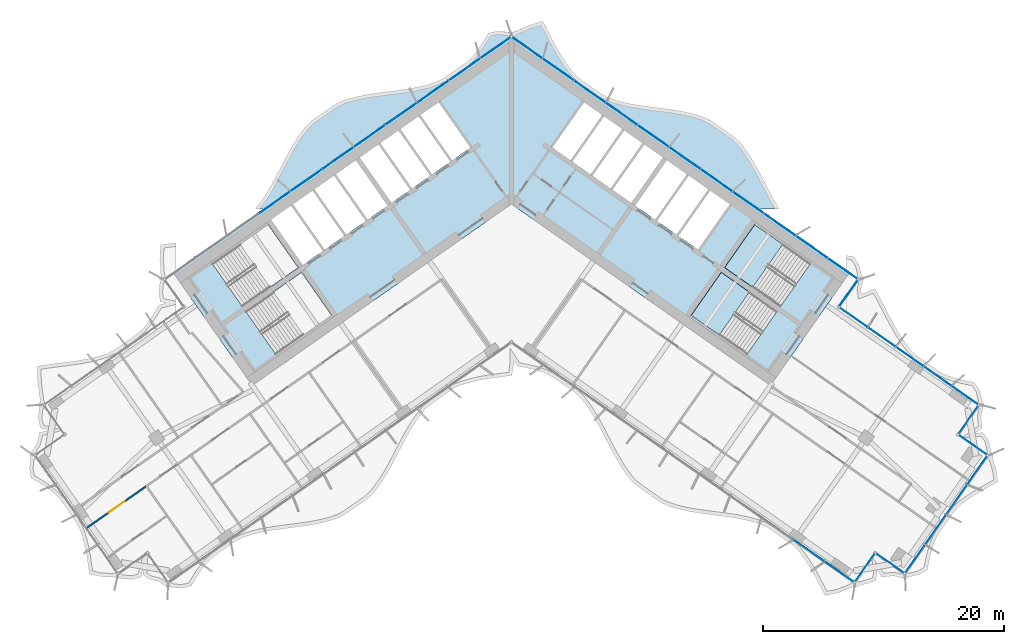
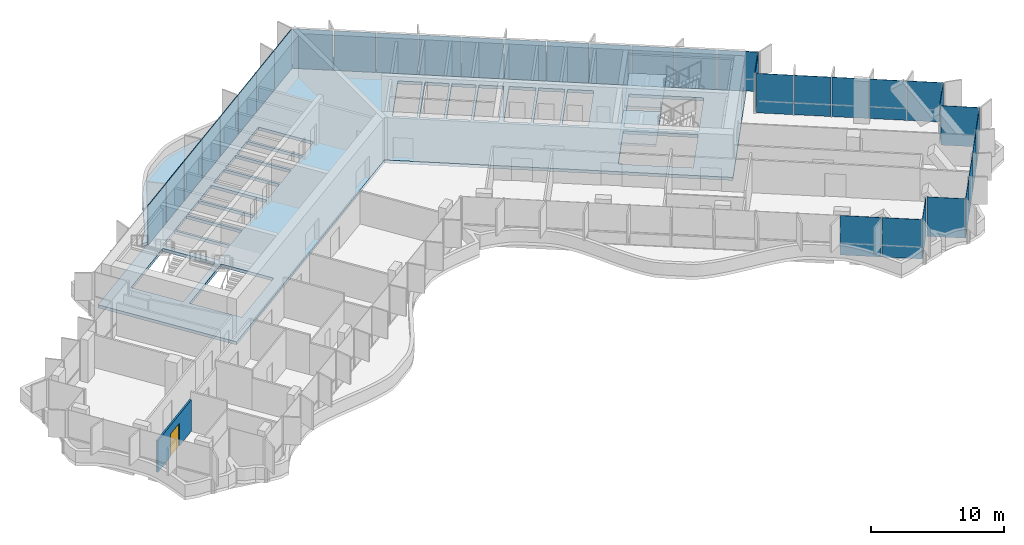
# One storey, part 11 of 21: 35 plates, 4 slabs, 1 door, 1 wall, 1 opening, 4 elements without a shape of their own.
"""IFC4 building model written with IfcOpenShell, lengths in metres."""

from ifc_helpers import new_model, si_unit, direction, frame, frame_2d, origin, origin_2d, place, context, subcontext, project, spatial, polyline, rectangle, outline, extrude, material, layer, layer_set, type_object, element, fill, aggregate, save


model = new_model("IFC4")

# Units and contexts
model_context = context("Model", 3, precision=1e-05, world=origin(), true_north=direction((0.0, 1.0)))
body_context = subcontext(model_context, "Body", "Model", "MODEL_VIEW")
ifc_project = project(units=[si_unit("LENGTHUNIT", "METRE"), si_unit("AREAUNIT", "SQUARE_METRE"), si_unit("VOLUMEUNIT", "CUBIC_METRE"), si_unit("PLANEANGLEUNIT", "RADIAN"), si_unit("MASSUNIT", "GRAM", prefix="KILO")], contexts=[model_context])

# Site, building, storey
site_placement = place(None, origin())
site = spatial("IfcSite", under=ifc_project, at=site_placement, CompositionType="ELEMENT")
building_placement = place(site_placement, origin())
building = spatial("IfcBuilding", under=site, at=building_placement, Name="Tel Ilan Convention Tower", CompositionType="ELEMENT")
storey_placement = place(building_placement, frame((0.0, 0.0, 139.800048828125)))
storey = spatial("IfcBuildingStorey", under=building, at=storey_placement, Name="L31", CompositionType="ELEMENT", Elevation=139.800048828125)

# Curtain wall, plates
ifc_material_1 = material(Name="Aluminium, bronze anodised", Category="aluminium")
curtain_wall_type_1 = type_object("IfcCurtainWallType", Name="CW4 STICK CURTAIN WALL, OFFICE TINTED GLASS", PredefinedType="NOTDEFINED", material=ifc_material_1)
curtain_wall_1_placement = place(storey_placement, origin())
curtain_wall_1 = element("IfcCurtainWall", 1, at=curtain_wall_1_placement, inside=storey, type_object=curtain_wall_type_1, Name="Curtain wall CW4-25.02", PredefinedType="NOTDEFINED")
ifc_material_2 = material(Name="Glass, bronze tinted, two-ply", Category="glass")
ifc_layer_1 = layer(ifc_material_2, 0.028076171875)
ifc_layer_set_1 = layer_set([ifc_layer_1], Name="CW GLASS PANEL 28")
plate_type_1 = type_object("IfcPlateType", Name="CW GLASS PANEL 28", PredefinedType="CURTAIN_PANEL", material=ifc_layer_set_1)
plate_1_placement = place(storey_placement, frame((24.71044921875, -29.99853515625, 0.0), z_axis=(0.0, 0.0, 1.0), x_axis=(0.819152044289, -0.573576436351, 0.0)))
plate_1 = element("IfcPlate", 2, at=plate_1_placement, type_object=plate_type_1, Name="Glass panel", PredefinedType="CURTAIN_PANEL", context=body_context, shape_type="SweptSolid", body=[
    extrude(rectangle(XDim=3.10791015625, YDim=0.028076171875, at=origin_2d()), origin(), (0.0, 0.0, 1.0), 3.6201171875),
])
plate_2_placement = place(storey_placement, frame((27.26708984375, -31.78857421875, 0.0), z_axis=(0.0, 0.0, 1.0), x_axis=(0.819152044289, -0.573576436351, 0.0)))
plate_2 = element("IfcPlate", 3, at=plate_2_placement, type_object=plate_type_1, Name="Glass panel", PredefinedType="CURTAIN_PANEL", context=body_context, shape_type="SweptSolid", body=[
    extrude(rectangle(XDim=3.013916015625, YDim=0.028076171875, at=origin_2d()), origin(), (0.0, 0.0, 1.0), 3.6201171875),
])
plate_3_placement = place(storey_placement, frame((29.359375, -31.469482421875, 0.0), z_axis=(0.0, 0.0, 1.0), x_axis=(0.573576436351, 0.819152044289, 0.0)))
plate_3 = element("IfcPlate", 4, at=plate_3_placement, type_object=plate_type_1, Name="Glass panel", PredefinedType="CURTAIN_PANEL", context=body_context, shape_type="SweptSolid", body=[
    extrude(rectangle(XDim=2.875, YDim=0.028076171875, at=origin_2d()), origin(), (0.0, 0.0, 1.0), 3.6201171875),
])
plate_4_placement = place(storey_placement, frame((31.502197265625, -31.091796875, 0.0), z_axis=(0.0, 0.0, 1.0), x_axis=(0.819152044289, -0.573576436351, 0.0)))
plate_4 = element("IfcPlate", 5, at=plate_4_placement, type_object=plate_type_1, Name="Glass panel", PredefinedType="CURTAIN_PANEL", context=body_context, shape_type="SweptSolid", body=[
    extrude(rectangle(XDim=2.875, YDim=0.028076171875, at=origin_2d()), origin(), (0.0, 0.0, 1.0), 3.6201171875),
])
plate_5_placement = place(storey_placement, frame((33.543701171875, -30.72412109375, 0.0), z_axis=(0.0, 0.0, 1.0), x_axis=(0.573576436351, 0.819152044289, 0.0)))
plate_5 = element("IfcPlate", 6, at=plate_5_placement, type_object=plate_type_1, Name="Glass panel", PredefinedType="CURTAIN_PANEL", context=body_context, shape_type="SweptSolid", body=[
    extrude(rectangle(XDim=2.89599609375, YDim=0.028076171875, at=origin_2d()), origin(), (0.0, 0.0, 1.0), 3.6201171875),
])
plate_6_placement = place(storey_placement, frame((35.26611328125, -28.264404296875, 0.0), z_axis=(0.0, 0.0, 1.0), x_axis=(0.573576436351, 0.819152044289, 0.0)))
plate_6 = element("IfcPlate", 7, at=plate_6_placement, type_object=plate_type_1, Name="Glass panel", PredefinedType="CURTAIN_PANEL", context=body_context, shape_type="SweptSolid", body=[
    extrude(rectangle(XDim=2.989990234375, YDim=0.028076171875, at=origin_2d()), origin(), (0.0, 0.0, 1.0), 3.6201171875),
])
plate_7_placement = place(storey_placement, frame((37.015380859375, -25.765869140625, 0.0), z_axis=(0.0, 0.0, 1.0), x_axis=(0.573576436351, 0.819152044289, 0.0)))
plate_7 = element("IfcPlate", 8, at=plate_7_placement, type_object=plate_type_1, Name="Glass panel", PredefinedType="CURTAIN_PANEL", context=body_context, shape_type="SweptSolid", body=[
    extrude(rectangle(XDim=2.989990234375, YDim=0.028076171875, at=origin_2d()), origin(), (0.0, 0.0, 1.0), 3.6201171875),
])
plate_8_placement = place(storey_placement, frame((38.73779296875, -23.305908203125, 0.0), z_axis=(0.0, 0.0, 1.0), x_axis=(0.573576436351, 0.819152044289, 0.0)))
plate_8 = element("IfcPlate", 9, at=plate_8_placement, type_object=plate_type_1, Name="Glass panel", PredefinedType="CURTAIN_PANEL", context=body_context, shape_type="SweptSolid", body=[
    extrude(rectangle(XDim=2.89599609375, YDim=0.028076171875, at=origin_2d()), origin(), (0.0, 0.0, 1.0), 3.6201171875),
])
plate_9_placement = place(storey_placement, frame((38.385009765625, -21.261962890625, 0.0), z_axis=(0.0, 0.0, 1.0), x_axis=(-0.819152044289, 0.573576436351, 0.0)))
plate_9 = element("IfcPlate", 10, at=plate_9_placement, type_object=plate_type_1, Name="Glass panel", PredefinedType="CURTAIN_PANEL", context=body_context, shape_type="SweptSolid", body=[
    extrude(rectangle(XDim=2.875, YDim=0.028076171875, at=origin_2d()), origin(), (0.0, 0.0, 1.0), 3.6201171875),
])
plate_10_placement = place(storey_placement, frame((38.007080078125, -19.119140625, 0.0), z_axis=(0.0, 0.0, 1.0), x_axis=(0.573576436351, 0.819152044289, 0.0)))
plate_10 = element("IfcPlate", 11, at=plate_10_placement, type_object=plate_type_1, Name="Glass panel", PredefinedType="CURTAIN_PANEL", context=body_context, shape_type="SweptSolid", body=[
    extrude(rectangle(XDim=2.875, YDim=0.028076171875, at=origin_2d()), origin(), (0.0, 0.0, 1.0), 3.6201171875),
])
plate_11_placement = place(storey_placement, frame((37.7255859375, -17.137939453125, 0.0), z_axis=(0.0, 0.0, 1.0), x_axis=(-0.819152044289, 0.573576436351, 0.0)))
plate_11 = element("IfcPlate", 12, at=plate_11_placement, type_object=plate_type_1, Name="Glass panel", PredefinedType="CURTAIN_PANEL", context=body_context, shape_type="SweptSolid", body=[
    extrude(rectangle(XDim=2.68603515625, YDim=0.028076171875, at=origin_2d()), origin(), (0.0, 0.0, 1.0), 3.6201171875),
])
plate_12_placement = place(storey_placement, frame((35.437744140625, -15.535888671875, 0.0), z_axis=(0.0, 0.0, 1.0), x_axis=(-0.819152044289, 0.573576436351, 0.0)))
plate_12 = element("IfcPlate", 13, at=plate_12_placement, type_object=plate_type_1, Name="Glass panel", PredefinedType="CURTAIN_PANEL", context=body_context, shape_type="SweptSolid", body=[
    extrude(rectangle(XDim=2.780029296875, YDim=0.028076171875, at=origin_2d()), origin(), (0.0, 0.0, 1.0), 3.6201171875),
])
plate_13_placement = place(storey_placement, frame((33.111328125, -13.906982421875, 0.0), z_axis=(0.0, 0.0, 1.0), x_axis=(-0.819152044289, 0.573576436351, 0.0)))
plate_13 = element("IfcPlate", 14, at=plate_13_placement, type_object=plate_type_1, Name="Glass panel", PredefinedType="CURTAIN_PANEL", context=body_context, shape_type="SweptSolid", body=[
    extrude(rectangle(XDim=2.780029296875, YDim=0.028076171875, at=origin_2d()), origin(), (0.0, 0.0, 1.0), 3.6201171875),
])
plate_14_placement = place(storey_placement, frame((30.784912109375, -12.278076171875, 0.0), z_axis=(0.0, 0.0, 1.0), x_axis=(-0.819152044289, 0.573576436351, 0.0)))
plate_14 = element("IfcPlate", 15, at=plate_14_placement, type_object=plate_type_1, Name="Glass panel", PredefinedType="CURTAIN_PANEL", context=body_context, shape_type="SweptSolid", body=[
    extrude(rectangle(XDim=2.780029296875, YDim=0.028076171875, at=origin_2d()), origin(), (0.0, 0.0, 1.0), 3.6201171875),
])
plate_15_placement = place(storey_placement, frame((28.44677734375, -10.640625, 0.0), z_axis=(0.0, 0.0, 1.0), x_axis=(-0.819152044289, 0.573576436351, 0.0)))
plate_15 = element("IfcPlate", 16, at=plate_15_placement, type_object=plate_type_1, Name="Glass panel", PredefinedType="CURTAIN_PANEL", context=body_context, shape_type="SweptSolid", body=[
    extrude(rectangle(XDim=2.80908203125, YDim=0.028076171875, at=origin_2d()), origin(), (0.0, 0.0, 1.0), 3.6201171875),
])
aggregate(curtain_wall_1, [plate_1, plate_2, plate_3, plate_4, plate_5, plate_6, plate_7, plate_8, plate_9, plate_10, plate_11, plate_12, plate_13, plate_14, plate_15])

ifc_material_3 = material(Name="Aluminium, bronze anodised", Category="aluminium")
curtain_wall_type_2 = type_object("IfcCurtainWallType", Name="CW2 STICK CURTAIN WALL, SPANDREL PANELS", PredefinedType="NOTDEFINED", material=ifc_material_3)
curtain_wall_2_placement = place(storey_placement, origin())
curtain_wall_2 = element("IfcCurtainWall", 17, at=curtain_wall_2_placement, inside=storey, type_object=curtain_wall_type_2, Name="Curtain wall CW2-25.01", PredefinedType="NOTDEFINED")
ifc_material_4 = material(Name="Aluminium composite panel, bronze anodised", Category="aluminium")
ifc_layer_2 = layer(ifc_material_4, 0.06005859375)
ifc_layer_set_2 = layer_set([ifc_layer_2], Name="CW SPANDREL PANEL 60")
plate_type_2 = type_object("IfcPlateType", Name="CW SPANDREL PANEL 60", PredefinedType="CURTAIN_PANEL", material=ifc_layer_set_2)
plate_16_placement = place(storey_placement, frame((28.033935546875, -8.60546875, 0.0), z_axis=(0.0, 0.0, 1.0), x_axis=(0.573576436351, 0.819152044289, 0.0)))
plate_16 = element("IfcPlate", 18, at=plate_16_placement, type_object=plate_type_2, Name="Spandrel panel", PredefinedType="CURTAIN_PANEL", context=body_context, shape_type="SweptSolid", body=[
    extrude(rectangle(XDim=2.658935546875, YDim=0.06005859375, at=origin_2d()), origin(), (0.0, 0.0, 1.0), 3.6201171875),
])
plate_17_placement = place(storey_placement, frame((27.5400390625, -6.587646484375, 0.0), z_axis=(0.0, 0.0, 1.0), x_axis=(-0.819152044289, 0.573576436351, 0.0)))
plate_17 = element("IfcPlate", 19, at=plate_17_placement, type_object=plate_type_2, Name="Spandrel panel", PredefinedType="CURTAIN_PANEL", context=body_context, shape_type="SweptSolid", body=[
    extrude(rectangle(XDim=3.0439453125, YDim=0.06005859375, at=origin_2d()), origin(), (0.0, 0.0, 1.0), 3.6201171875),
])
plate_18_placement = place(storey_placement, frame((24.95263671875, -4.77587890625, 0.0), z_axis=(0.0, 0.0, 1.0), x_axis=(-0.819152044289, 0.573576436351, 0.0)))
plate_18 = element("IfcPlate", 20, at=plate_18_placement, type_object=plate_type_2, Name="Spandrel panel", PredefinedType="CURTAIN_PANEL", context=body_context, shape_type="SweptSolid", body=[
    extrude(rectangle(XDim=3.15380859375, YDim=0.06005859375, at=origin_2d()), origin(), (0.0, 0.0, 1.0), 3.6201171875),
])
plate_19_placement = place(storey_placement, frame((22.31982421875, -2.9326171875, 0.0), z_axis=(0.0, 0.0, 1.0), x_axis=(-0.819152044289, 0.573576436351, 0.0)))
plate_19 = element("IfcPlate", 21, at=plate_19_placement, type_object=plate_type_2, Name="Spandrel panel", PredefinedType="CURTAIN_PANEL", context=body_context, shape_type="SweptSolid", body=[
    extrude(rectangle(XDim=3.15380859375, YDim=0.06005859375, at=origin_2d()), origin(), (0.0, 0.0, 1.0), 3.6201171875),
])
plate_20_placement = place(storey_placement, frame((19.687255859375, -1.089111328125, 0.0), z_axis=(0.0, 0.0, 1.0), x_axis=(-0.819152044289, 0.573576436351, 0.0)))
plate_20 = element("IfcPlate", 22, at=plate_20_placement, type_object=plate_type_2, Name="Spandrel panel", PredefinedType="CURTAIN_PANEL", context=body_context, shape_type="SweptSolid", body=[
    extrude(rectangle(XDim=3.15380859375, YDim=0.06005859375, at=origin_2d()), origin(), (0.0, 0.0, 1.0), 3.6201171875),
])
plate_21_placement = place(storey_placement, frame((17.0546875, 0.754150390625, 0.0), z_axis=(0.0, 0.0, 1.0), x_axis=(-0.819152044289, 0.573576436351, 0.0)))
plate_21 = element("IfcPlate", 23, at=plate_21_placement, type_object=plate_type_2, Name="Spandrel panel", PredefinedType="CURTAIN_PANEL", context=body_context, shape_type="SweptSolid", body=[
    extrude(rectangle(XDim=3.15380859375, YDim=0.06005859375, at=origin_2d()), origin(), (0.0, 0.0, 1.0), 3.6201171875),
])
plate_22_placement = place(storey_placement, frame((14.422119140625, 2.59765625, 0.0), z_axis=(0.0, 0.0, 1.0), x_axis=(-0.819152044289, 0.573576436351, 0.0)))
plate_22 = element("IfcPlate", 24, at=plate_22_placement, type_object=plate_type_2, Name="Spandrel panel", PredefinedType="CURTAIN_PANEL", context=body_context, shape_type="SweptSolid", body=[
    extrude(rectangle(XDim=3.15380859375, YDim=0.06005859375, at=origin_2d()), origin(), (0.0, 0.0, 1.0), 3.6201171875),
])
plate_23_placement = place(storey_placement, frame((11.789306640625, 4.44091796875, 0.0), z_axis=(0.0, 0.0, 1.0), x_axis=(-0.819152044289, 0.573576436351, 0.0)))
plate_23 = element("IfcPlate", 25, at=plate_23_placement, type_object=plate_type_2, Name="Spandrel panel", PredefinedType="CURTAIN_PANEL", context=body_context, shape_type="SweptSolid", body=[
    extrude(rectangle(XDim=3.15380859375, YDim=0.06005859375, at=origin_2d()), origin(), (0.0, 0.0, 1.0), 3.6201171875),
])
plate_24_placement = place(storey_placement, frame((9.15673828125, 6.284423828125, 0.0), z_axis=(0.0, 0.0, 1.0), x_axis=(-0.819152044289, 0.573576436351, 0.0)))
plate_24 = element("IfcPlate", 26, at=plate_24_placement, type_object=plate_type_2, Name="Spandrel panel", PredefinedType="CURTAIN_PANEL", context=body_context, shape_type="SweptSolid", body=[
    extrude(rectangle(XDim=3.15380859375, YDim=0.06005859375, at=origin_2d()), origin(), (0.0, 0.0, 1.0), 3.6201171875),
])
plate_25_placement = place(storey_placement, frame((6.524169921875, 8.127685546875, 0.0), z_axis=(0.0, 0.0, 1.0), x_axis=(-0.819152044289, 0.573576436351, 0.0)))
plate_25 = element("IfcPlate", 27, at=plate_25_placement, type_object=plate_type_2, Name="Spandrel panel", PredefinedType="CURTAIN_PANEL", context=body_context, shape_type="SweptSolid", body=[
    extrude(rectangle(XDim=3.15380859375, YDim=0.06005859375, at=origin_2d()), origin(), (0.0, 0.0, 1.0), 3.6201171875),
])
plate_26_placement = place(storey_placement, frame((3.8916015625, 9.97119140625, 0.0), z_axis=(0.0, 0.0, 1.0), x_axis=(-0.819152044289, 0.573576436351, 0.0)))
plate_26 = element("IfcPlate", 28, at=plate_26_placement, type_object=plate_type_2, Name="Spandrel panel", PredefinedType="CURTAIN_PANEL", context=body_context, shape_type="SweptSolid", body=[
    extrude(rectangle(XDim=3.15380859375, YDim=0.06005859375, at=origin_2d()), origin(), (0.0, 0.0, 1.0), 3.6201171875),
])
plate_27_placement = place(storey_placement, frame((1.303955078125, 11.782958984375, 0.0), z_axis=(0.0, 0.0, 1.0), x_axis=(-0.819152044289, 0.573576436351, 0.0)))
plate_27 = element("IfcPlate", 29, at=plate_27_placement, type_object=plate_type_2, Name="Spandrel panel", PredefinedType="CURTAIN_PANEL", context=body_context, shape_type="SweptSolid", body=[
    extrude(rectangle(XDim=3.0439453125, YDim=0.06005859375, at=origin_2d()), origin(), (0.0, 0.0, 1.0), 3.6201171875),
])
plate_28_placement = place(storey_placement, frame((-1.303955078125, 11.782958984375, 0.0), z_axis=(0.0, 0.0, 1.0), x_axis=(-0.819152044289, -0.573576436351, 0.0)))
plate_28 = element("IfcPlate", 30, at=plate_28_placement, type_object=plate_type_2, Name="Spandrel panel", PredefinedType="CURTAIN_PANEL", context=body_context, shape_type="SweptSolid", body=[
    extrude(rectangle(XDim=3.0439453125, YDim=0.06005859375, at=origin_2d()), origin(), (0.0, 0.0, 1.0), 3.6201171875),
])
plate_29_placement = place(storey_placement, frame((-3.8916015625, 9.97119140625, 0.0), z_axis=(0.0, 0.0, 1.0), x_axis=(-0.819152044289, -0.573576436351, 0.0)))
plate_29 = element("IfcPlate", 31, at=plate_29_placement, type_object=plate_type_2, Name="Spandrel panel", PredefinedType="CURTAIN_PANEL", context=body_context, shape_type="SweptSolid", body=[
    extrude(rectangle(XDim=3.15380859375, YDim=0.06005859375, at=origin_2d()), origin(), (0.0, 0.0, 1.0), 3.6201171875),
])
plate_30_placement = place(storey_placement, frame((-6.524169921875, 8.127685546875, 0.0), z_axis=(0.0, 0.0, 1.0), x_axis=(-0.819152044289, -0.573576436351, 0.0)))
plate_30 = element("IfcPlate", 32, at=plate_30_placement, type_object=plate_type_2, Name="Spandrel panel", PredefinedType="CURTAIN_PANEL", context=body_context, shape_type="SweptSolid", body=[
    extrude(rectangle(XDim=3.15380859375, YDim=0.06005859375, at=origin_2d()), origin(), (0.0, 0.0, 1.0), 3.6201171875),
])
plate_31_placement = place(storey_placement, frame((-9.15673828125, 6.284423828125, 0.0), z_axis=(0.0, 0.0, 1.0), x_axis=(-0.819152044289, -0.573576436351, 0.0)))
plate_31 = element("IfcPlate", 33, at=plate_31_placement, type_object=plate_type_2, Name="Spandrel panel", PredefinedType="CURTAIN_PANEL", context=body_context, shape_type="SweptSolid", body=[
    extrude(rectangle(XDim=3.15380859375, YDim=0.06005859375, at=origin_2d()), origin(), (0.0, 0.0, 1.0), 3.6201171875),
])
plate_32_placement = place(storey_placement, frame((-11.789306640625, 4.44091796875, 0.0), z_axis=(0.0, 0.0, 1.0), x_axis=(-0.819152044289, -0.573576436351, 0.0)))
plate_32 = element("IfcPlate", 34, at=plate_32_placement, type_object=plate_type_2, Name="Spandrel panel", PredefinedType="CURTAIN_PANEL", context=body_context, shape_type="SweptSolid", body=[
    extrude(rectangle(XDim=3.15380859375, YDim=0.06005859375, at=origin_2d()), origin(), (0.0, 0.0, 1.0), 3.6201171875),
])
plate_33_placement = place(storey_placement, frame((-14.422119140625, 2.59765625, 0.0), z_axis=(0.0, 0.0, 1.0), x_axis=(-0.819152044289, -0.573576436351, 0.0)))
plate_33 = element("IfcPlate", 35, at=plate_33_placement, type_object=plate_type_2, Name="Spandrel panel", PredefinedType="CURTAIN_PANEL", context=body_context, shape_type="SweptSolid", body=[
    extrude(rectangle(XDim=3.15380859375, YDim=0.06005859375, at=origin_2d()), origin(), (0.0, 0.0, 1.0), 3.6201171875),
])
plate_34_placement = place(storey_placement, frame((-17.0546875, 0.754150390625, 0.0), z_axis=(0.0, 0.0, 1.0), x_axis=(-0.819152044289, -0.573576436351, 0.0)))
plate_34 = element("IfcPlate", 36, at=plate_34_placement, type_object=plate_type_2, Name="Spandrel panel", PredefinedType="CURTAIN_PANEL", context=body_context, shape_type="SweptSolid", body=[
    extrude(rectangle(XDim=3.15380859375, YDim=0.06005859375, at=origin_2d()), origin(), (0.0, 0.0, 1.0), 3.6201171875),
])
plate_35_placement = place(storey_placement, frame((-19.687255859375, -1.089111328125, 0.0), z_axis=(0.0, 0.0, 1.0), x_axis=(-0.819152044289, -0.573576436351, 0.0)))
plate_35 = element("IfcPlate", 37, at=plate_35_placement, type_object=plate_type_2, Name="Spandrel panel", PredefinedType="CURTAIN_PANEL", context=body_context, shape_type="SweptSolid", body=[
    extrude(rectangle(XDim=3.15380859375, YDim=0.06005859375, at=origin_2d()), origin(), (0.0, 0.0, 1.0), 3.6201171875),
])
aggregate(curtain_wall_2, [plate_16, plate_17, plate_18, plate_19, plate_20, plate_21, plate_22, plate_23, plate_24, plate_25, plate_26, plate_27, plate_28, plate_29, plate_30, plate_31, plate_32, plate_33, plate_34, plate_35])

# Stair, slab
ifc_material_5 = material(Name="Concrete C40/50", Category="concrete")
stair_type = type_object("IfcStairType", Name="Pressurised Exit Stair 22 risers 177 mm", PredefinedType="HALF_TURN_STAIR", material=ifc_material_5)
stair_1_placement = place(storey_placement, origin())
stair_1 = element("IfcStair", 38, at=stair_1_placement, inside=storey, type_object=stair_type, Name="L31 Pressurised Stair S3", PredefinedType="HALF_TURN_STAIR")
ifc_material_6 = material(Name="Concrete C40/50", Category="concrete")
ifc_layer_3 = layer(ifc_material_6, 0.199951171875)
ifc_layer_set_3 = layer_set([ifc_layer_3], Name="Concrete Stair Landing 200 mm C40/50")
slab_type_1 = type_object("IfcSlabType", Name="Concrete Stair Landing 200 mm", PredefinedType="LANDING", material=ifc_layer_set_3)
slab_1_placement = place(storey_placement, frame((0.0, 0.0, 1.75)))
slab_1 = element("IfcSlab", 39, at=slab_1_placement, type_object=slab_type_1, Name="S3 landing 1", PredefinedType="LANDING", context=body_context, shape_type="SweptSolid", body=[
    extrude(outline(polyline([(22.561767578125, -4.566650390625), (20.226318359375, -2.931640625), (17.7314453125, -6.494873046875), (20.066650390625, -8.130126953125), (22.561767578125, -4.566650390625)])), origin(), (0.0, 0.0, 1.0), 0.199951171875),
])
aggregate(stair_1, [slab_1])

stair_2_placement = place(storey_placement, origin())
stair_2 = element("IfcStair", 40, at=stair_2_placement, inside=storey, type_object=stair_type, Name="L31 Pressurised Stair S4", PredefinedType="HALF_TURN_STAIR")
slab_2_placement = place(storey_placement, frame((0.0, 0.0, 1.75)))
slab_2 = element("IfcSlab", 41, at=slab_2_placement, type_object=slab_type_1, Name="S4 landing 1", PredefinedType="LANDING", context=body_context, shape_type="SweptSolid", body=[
    extrude(outline(polyline([(19.77978515625, -8.53955078125), (17.444580078125, -6.904541015625), (14.949462890625, -10.4677734375), (17.28466796875, -12.10302734375), (19.77978515625, -8.53955078125)])), origin(), (0.0, 0.0, 1.0), 0.199951171875),
])
aggregate(stair_2, [slab_2])

# Slabs
ifc_material_7 = material(Name="Concrete C40/50", Category="concrete")
ifc_layer_4 = layer(ifc_material_7, 0.280029296875)
ifc_layer_set_4 = layer_set([ifc_layer_4], Name="Core Floor Slab 280 mm C40/50")
slab_type_2 = type_object("IfcSlabType", Name="Core Floor Slab 280 mm C40/50", PredefinedType="FLOOR", material=ifc_layer_set_4)
slab_3_placement = place(storey_placement, frame((0.0, 0.0, -0.280029296875)))
element("IfcSlab", 42, at=slab_3_placement, inside=storey, type_object=slab_type_2, Name="L31 core floor 1", PredefinedType="FLOOR", context=body_context, shape_type="SweptSolid", body=[
    extrude(outline(polyline([(-28.1396484375, -6.885498046875), (0.0, 12.818115234375), (28.1396484375, -6.885498046875), (21.54345703125, -16.3056640625), (0.0, -1.220703125), (-21.54345703125, -16.3056640625), (-28.1396484375, -6.885498046875)]), holes=[polyline([(-14.949462890625, -10.4677734375), (-17.444580078125, -6.904541015625), (-22.072021484375, -10.144775390625), (-19.5771484375, -13.7080078125), (-14.949462890625, -10.4677734375)]), polyline([(-17.7314453125, -6.494873046875), (-20.226318359375, -2.931640625), (-24.85400390625, -6.171875), (-22.35888671875, -9.735107421875), (-17.7314453125, -6.494873046875)]), polyline([(-18.313720703125, -1.34814453125), (-19.972412109375, -2.509521484375), (-17.333984375, -6.277587890625), (-15.67529296875, -5.1162109375), (-18.313720703125, -1.34814453125)]), polyline([(-16.531982421875, -0.1005859375), (-18.14990234375, -1.2333984375), (-15.511474609375, -5.00146484375), (-13.8935546875, -3.86865234375), (-16.531982421875, -0.1005859375)]), polyline([(-14.75048828125, 1.14697265625), (-16.368408203125, 0.01416015625), (-13.729736328125, -3.75390625), (-12.112060546875, -2.62109375), (-14.75048828125, 1.14697265625)]), polyline([(-12.927734375, 2.423095703125), (-14.586669921875, 1.26171875), (-11.947998046875, -2.506591796875), (-10.289306640625, -1.344970703125), (-12.927734375, 2.423095703125)]), polyline([(-11.053955078125, 3.735107421875), (-12.60009765625, 2.652587890625), (-9.961669921875, -1.115478515625), (-8.41552734375, -0.032958984375), (-11.053955078125, 3.735107421875)]), polyline([(-6.74658203125, 1.1357421875), (-9.385009765625, 4.90380859375), (-10.89013671875, 3.849853515625), (-8.251708984375, 0.081787109375), (-6.74658203125, 1.1357421875)]), polyline([(-5.077392578125, 2.304443359375), (-7.716064453125, 6.072509765625), (-9.22119140625, 5.0185546875), (-6.582763671875, 1.25048828125), (-5.077392578125, 2.304443359375)]), polyline([(-6.046875, 7.2412109375), (-7.552001953125, 6.187255859375), (-4.913818359375, 2.419189453125), (-3.408447265625, 3.47314453125), (-6.046875, 7.2412109375)]), polyline([(17.444580078125, -6.904541015625), (14.949462890625, -10.4677734375), (19.5771484375, -13.7080078125), (22.072021484375, -10.144775390625), (17.444580078125, -6.904541015625)]), polyline([(20.226318359375, -2.931640625), (17.7314453125, -6.494873046875), (22.35888671875, -9.735107421875), (24.85400390625, -6.171875), (20.226318359375, -2.931640625)]), polyline([(13.8935546875, -3.86865234375), (15.511474609375, -5.00146484375), (18.14990234375, -1.2333984375), (16.531982421875, -0.1005859375), (13.8935546875, -3.86865234375)]), polyline([(12.112060546875, -2.62109375), (13.729736328125, -3.75390625), (16.368408203125, 0.01416015625), (14.75048828125, 1.14697265625), (12.112060546875, -2.62109375)]), polyline([(11.947998046875, -2.506591796875), (14.586669921875, 1.26171875), (12.927734375, 2.423095703125), (10.289306640625, -1.344970703125), (11.947998046875, -2.506591796875)]), polyline([(9.961669921875, -1.115478515625), (12.60009765625, 2.652587890625), (11.053955078125, 3.735107421875), (8.41552734375, -0.032958984375), (9.961669921875, -1.115478515625)]), polyline([(8.251708984375, 0.081787109375), (10.89013671875, 3.849853515625), (9.385009765625, 4.90380859375), (6.74658203125, 1.1357421875), (8.251708984375, 0.081787109375)]), polyline([(5.077392578125, 2.304443359375), (6.582763671875, 1.25048828125), (9.22119140625, 5.0185546875), (7.716064453125, 6.072509765625), (5.077392578125, 2.304443359375)]), polyline([(3.408447265625, 3.47314453125), (4.913818359375, 2.419189453125), (7.552001953125, 6.187255859375), (6.046875, 7.2412109375), (3.408447265625, 3.47314453125)])]), origin(), (0.0, 0.0, 1.0), 0.280029296875),
])
ifc_material_8 = material(Name="Concrete C40/50", Category="concrete")
ifc_layer_5 = layer(ifc_material_8, 0.280029296875)
ifc_layer_set_5 = layer_set([ifc_layer_5], Name="Edge Ledge Slab 280 mm C40/50")
slab_type_3 = type_object("IfcSlabType", Name="Edge Ledge Slab 280 mm C40/50", PredefinedType="FLOOR", material=ifc_layer_set_5)
slab_4_placement = place(storey_placement, frame((0.0, 0.0, -0.280029296875)))
element("IfcSlab", 43, at=slab_4_placement, inside=storey, type_object=slab_type_3, Name="L31 edge ledge 2", PredefinedType="FLOOR", context=body_context, shape_type="SweptSolid", body=[
    extrude(outline(polyline([(-19.60009765625, 1.004150390625), (-19.217529296875, 1.741943359375), (-18.83642578125, 2.481689453125), (-18.44677734375, 3.209228515625), (-18.0390625, 3.910888671875), (-17.604736328125, 4.574951171875), (-17.13671875, 5.190185546875), (-16.6015625, 5.71044921875), (-14.791748046875, 6.977783203125), (-14.1416015625, 7.33349609375), (-13.41064453125, 7.573486328125), (-12.644287109375, 7.76318359375), (-11.849853515625, 7.91259765625), (-11.03564453125, 8.033935546875), (-10.211181640625, 8.140380859375), (-9.385986328125, 8.24609375), (-8.570068359375, 8.36474609375), (-7.7724609375, 8.509765625), (-7.002197265625, 8.693603515625), (-6.26611328125, 8.926513671875), (-5.601806640625, 9.261962890625), (-3.7919921875, 10.529296875), (-3.2421875, 11.0283203125), (-2.769287109375, 11.63671875), (-2.3310546875, 12.294921875), (-1.919921875, 12.991943359375), (-1.14208984375, 13.1650390625), (-0.172119140625, 13.06396484375), (-0.168701171875, 13.05908203125), (-0.11474609375, 13.09521484375), (0.0, 13.1181640625), (0.11474609375, 13.09521484375), (0.168701171875, 13.05908203125), (0.172119140625, 13.06396484375), (1.4794921875, 13.647216796875), (2.6162109375, 13.986328125), (3.000244140625, 13.250732421875), (3.38134765625, 12.510986328125), (3.770263671875, 11.7822265625), (4.176513671875, 11.078369140625), (4.608642578125, 10.41162109375), (5.074462890625, 9.792724609375), (5.601806640625, 9.261962890625), (7.411865234375, 7.99462890625), (8.054931640625, 7.62890625), (8.783447265625, 7.385498046875), (9.547607421875, 7.19287109375), (10.340576171875, 7.041015625), (11.15380859375, 6.91845703125), (11.977783203125, 6.811279296875), (12.80322265625, 6.7060546875), (13.6201171875, 6.588623046875), (14.419189453125, 6.44580078125), (15.191650390625, 6.2646484375), (15.929931640625, 6.03515625), (16.6015625, 5.71044921875), (18.41162109375, 4.443115234375), (18.96826171875, 3.9541015625), (19.44384765625, 3.34912109375), (19.884033203125, 2.69384765625), (20.296142578125, 1.998291015625), (20.688720703125, 1.27490234375), (21.07080078125, 0.53662109375), (21.4521484375, -0.202880859375), (21.8427734375, -0.928955078125), (22.25341796875, -1.631591796875), (20.63623046875, -1.631591796875), (0.0, 12.818115234375), (-20.63623046875, -1.631591796875), (-21.30126953125, -1.631591796875), (-20.849609375, -1.0634765625), (-20.4072265625, -0.4111328125), (-19.993408203125, 0.281982421875), (-19.60009765625, 1.004150390625)])), origin(), (0.0, 0.0, 1.0), 0.280029296875),
])

# Wall, opening, door
ifc_material_9 = material(Name="Plasterboard on Steel Studs", Category="steel")
ifc_layer_6 = layer(ifc_material_9, 0.14990234375)
ifc_layer_set_6 = layer_set([ifc_layer_6], Name="Fire-rated Partition 150 EI 60")
wall_type = type_object("IfcWallType", Name="Fire-rated Partition 150 EI 60", PredefinedType="PARTITIONING", material=ifc_layer_set_6)
wall_placement = place(storey_placement, frame((-30.33935546875, -24.662109375, 0.0), z_axis=(0.0, 0.0, 1.0), x_axis=(-0.819166940189, -0.573555162214, 0.0)))
wall = element("IfcWall", 44, at=wall_placement, inside=storey, type_object=wall_type, Name="Partition 015", PredefinedType="PARTITIONING", context=body_context, shape_type="SweptSolid", body=[
    extrude(rectangle(XDim=6.001953125, YDim=0.14990234375, at=frame_2d((3.0009765625, 0.0))), origin(), (0.0, 0.0, 1.0), 2.89990234375),
])
opening_placement = place(wall_placement, frame((2.200927734375, 0.0, 0.0)))
opening = element("IfcOpeningElement", 45, at=opening_placement, cuts=wall, Name="Opening L31-008", PredefinedType="OPENING", context=body_context, shape_type="SweptSolid", body=[
    extrude(rectangle(XDim=1.60009765625, YDim=2.10009765625, at=frame_2d((0.800048828125, 1.050048828125))), frame((0.0, 0.0849609375, 0.0), z_axis=(0.0, -1.0, 0.0), x_axis=(1.0, 0.0, 0.0)), (0.0, 0.0, 1.0), 0.169921875),
])
ifc_material_10 = material(Name="Timber Door Leaf in Steel Frame", Category="steel")
door_type = type_object("IfcDoorType", Name="Tenant Suite Entrance Fire Door 1600x2100", OperationType="NOTDEFINED", PredefinedType="DOOR", material=ifc_material_10)
door_placement = place(opening_placement, origin())
door = element("IfcDoor", 46, at=door_placement, inside=storey, type_object=door_type, Name="Door L31-008", OperationType="DOUBLE_DOOR_SINGLE_SWING", OverallHeight=2.10009765625, OverallWidth=1.60009765625, PredefinedType="DOOR", context=body_context, shape_type="SweptSolid", body=[
    extrude(rectangle(XDim=1.60009765625, YDim=2.10009765625, at=frame_2d((0.800048828125, 1.050048828125))), frame((0.0, 0.02490234375, 0.0), z_axis=(0.0, -1.0, 0.0), x_axis=(1.0, 0.0, 0.0)), (0.0, 0.0, 1.0), 0.050048828125),
])
fill(opening, door)

save(model, "model.ifc")
